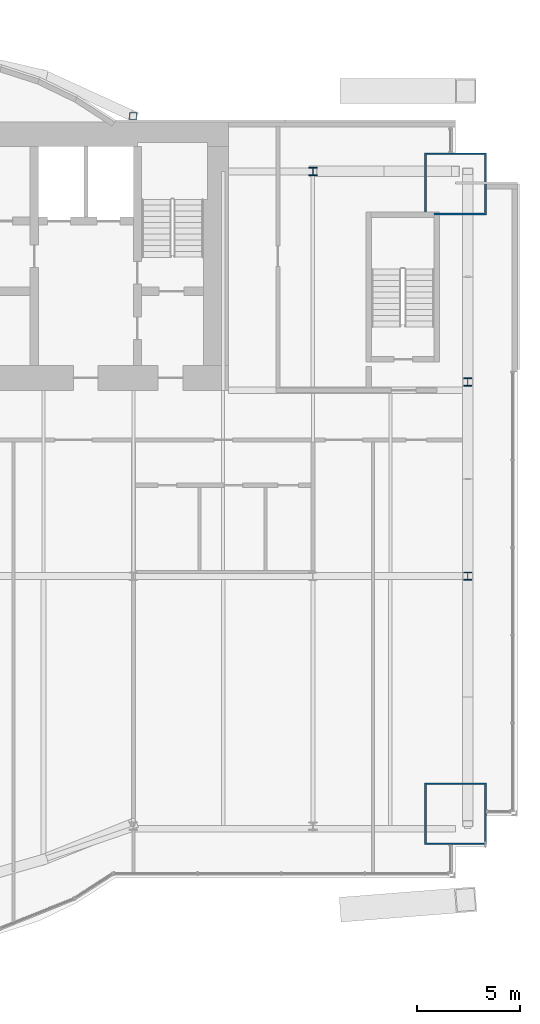
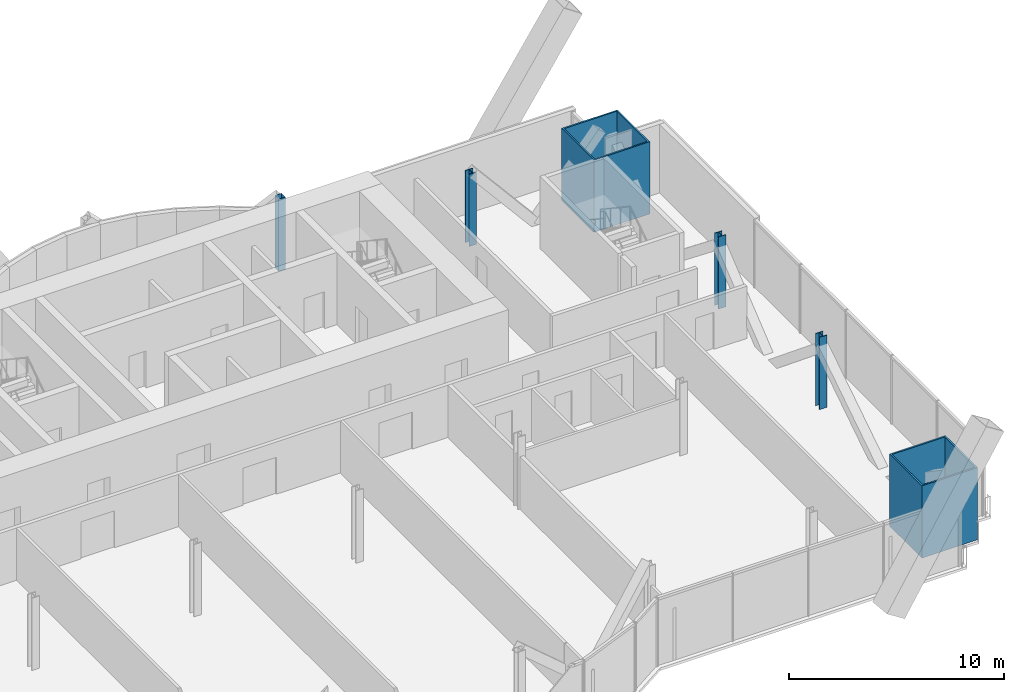
# One storey, part 3 of 21: 6 columns.
"""IFC4 building model written with IfcOpenShell, lengths in metres."""

from ifc_helpers import new_model, si_unit, direction, frame, origin, origin_2d, place, context, subcontext, project, spatial, hollow_rectangle, i_section, extrude, material, material_profile, profile_set, type_object, element, save


model = new_model("IFC4")

# Units and contexts
model_context = context("Model", 3, precision=1e-05, world=origin(), true_north=direction((0.0, 1.0)))
body_context = subcontext(model_context, "Body", "Model", "MODEL_VIEW")
ifc_project = project(units=[si_unit("LENGTHUNIT", "METRE"), si_unit("AREAUNIT", "SQUARE_METRE"), si_unit("VOLUMEUNIT", "CUBIC_METRE"), si_unit("PLANEANGLEUNIT", "RADIAN"), si_unit("MASSUNIT", "GRAM", prefix="KILO")], contexts=[model_context])

# Site, building, storey
site_placement = place(None, origin())
site = spatial("IfcSite", under=ifc_project, at=site_placement, CompositionType="ELEMENT")
building_placement = place(site_placement, origin())
building = spatial("IfcBuilding", under=site, at=building_placement, Name="Bicima Exchange Tower", CompositionType="ELEMENT")
storey_placement = place(building_placement, frame((0.0, 0.0, 130.89990234375)))
storey = spatial("IfcBuildingStorey", under=building, at=storey_placement, Name="L28", CompositionType="ELEMENT", Elevation=130.89990234375)

# Columns
ifc_material_1 = material(Name="Steel ASTM A572 Gr 50", Category="steel")
ifc_material_profile_1 = material_profile(ifc_material_1, hollow_rectangle(XDim=3.0, YDim=3.0, WallThickness=0.090087890625, at=origin_2d()))
ifc_profile_set_1 = profile_set([ifc_material_profile_1], Name="Steel ASTM A572 Gr 50")
column_type_1 = type_object("IfcColumnType", Name="Mega column BOX 3000x3000x90", PredefinedType="COLUMN", material=ifc_profile_set_1)
for number, where, z_axis, x_axis, name in (
    (1, (33.0, -33.510009765625, 0.0), (0.0, 0.0, 1.0), (1.0, 0.0, 0.0), "Mega column mega+33.0f"),
    (2, (33.0, -3.0, 0.0), (0.0, 0.0, 1.0), (1.0, 0.0, 0.0), "Mega column mega+33.0r"),
):
    element("IfcColumn", number, at=place(storey_placement, frame(where, z_axis=z_axis, x_axis=x_axis)), inside=storey, type_object=column_type_1, Name=name, PredefinedType="COLUMN", context=body_context, shape_type="SweptSolid", body=[
        extrude(hollow_rectangle(XDim=3.0, YDim=3.0, WallThickness=0.090087890625, at=origin_2d()), origin(), (0.0, 0.0, 1.0), 4.10009765625),
    ])
ifc_material_2 = material(Name="Steel ASTM A992 Gr 50", Category="steel")
ifc_material_profile_2 = material_profile(ifc_material_2, i_section(OverallWidth=0.398681640625, OverallDepth=0.393798828125, WebThickness=0.022705078125, FlangeThickness=0.03662109375, at=origin_2d()))
ifc_profile_set_2 = profile_set([ifc_material_profile_2], Name="Steel ASTM A992 Gr 50")
column_type_2 = type_object("IfcColumnType", Name="Perimeter column W14x193", PredefinedType="COLUMN", material=ifc_profile_set_2)
for number, where, z_axis, x_axis, name in (
    (3, (26.10009765625, -2.39990234375, 0.0), (0.0, 0.0, 1.0), (1.0, 0.0, 0.0), "Perimeter column grav+26.1r"),
    (4, (33.60009765625, -12.60009765625, 0.0), (0.0, 0.0, 1.0), (1.0, 0.0, 0.0), "End column end+33.6e"),
    (5, (33.60009765625, -22.0, 0.0), (0.0, 0.0, 1.0), (1.0, 0.0, 0.0), "End column end+33.6e"),
):
    element("IfcColumn", number, at=place(storey_placement, frame(where, z_axis=z_axis, x_axis=x_axis)), inside=storey, type_object=column_type_2, Name=name, PredefinedType="COLUMN", context=body_context, shape_type="SweptSolid", body=[
        extrude(i_section(OverallWidth=0.398681640625, OverallDepth=0.393798828125, WebThickness=0.022705078125, FlangeThickness=0.03662109375, at=origin_2d()), origin(), (0.0, 0.0, 1.0), 4.10009765625),
    ])
ifc_material_profile_3 = material_profile(ifc_material_1, hollow_rectangle(XDim=0.355712890625, YDim=0.355712890625, WallThickness=0.01171875, at=origin_2d()))
ifc_profile_set_3 = profile_set([ifc_material_profile_3], Name="Steel ASTM A572 Gr 50")
column_type_3 = type_object("IfcColumnType", Name="Rear pilaster HSS14x14x1/2", PredefinedType="COLUMN", material=ifc_profile_set_3)
column_placement = place(storey_placement, frame((17.39990234375, 0.278076171875, 0.0), z_axis=(0.0, 0.0, 1.0), x_axis=(1.0, 0.0, 0.0)))
element("IfcColumn", 6, at=column_placement, inside=storey, type_object=column_type_3, Name="Rear pilaster rexo+17.4r", PredefinedType="COLUMN", context=body_context, shape_type="SweptSolid", body=[
    extrude(hollow_rectangle(XDim=0.355712890625, YDim=0.355712890625, WallThickness=0.01171875, at=origin_2d()), origin(), (0.0, 0.0, 1.0), 4.10009765625),
])

save(model, "model.ifc")
